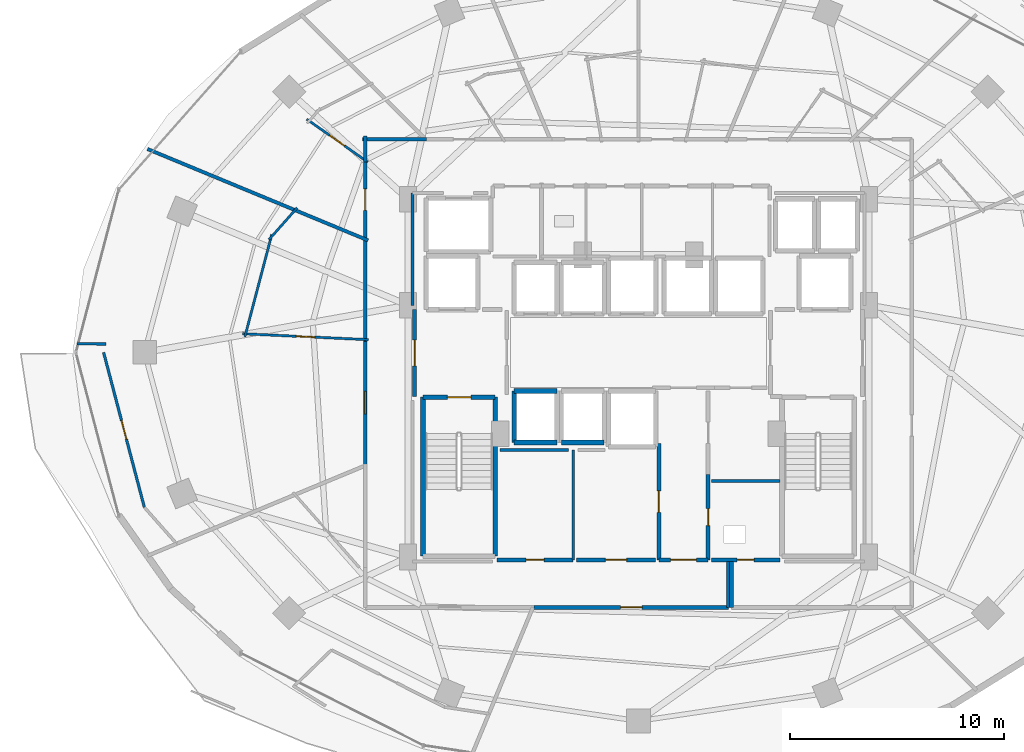
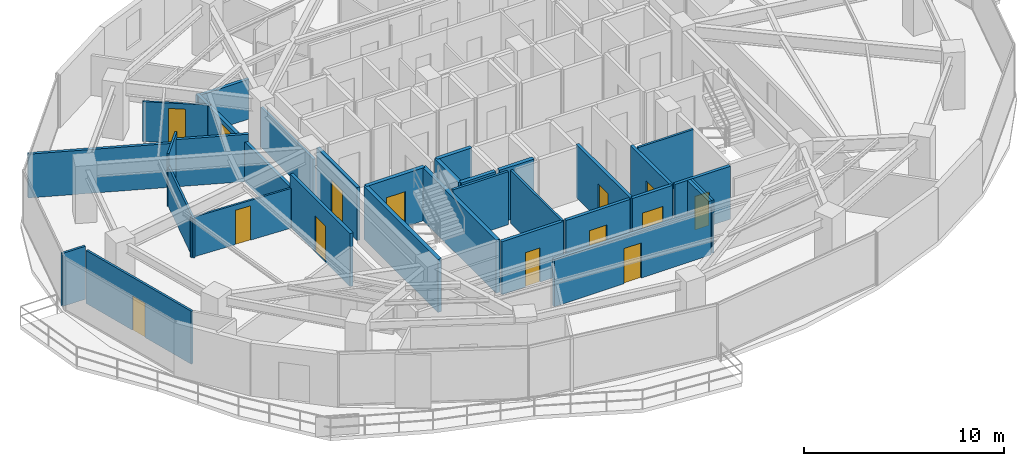
# One storey, part 24 of 31: 34 walls, 14 doors, 14 openings.
"""IFC4 building model written with IfcOpenShell, lengths in metres."""

from ifc_helpers import new_model, si_unit, direction, frame, frame_2d, origin, place, context, subcontext, project, spatial, rectangle, extrude, material, layer, layer_set, type_object, element, fill, save


model = new_model("IFC4")

# Units and contexts
model_context = context("Model", 3, precision=1e-05, world=origin(), true_north=direction((0.0, 1.0)))
body_context = subcontext(model_context, "Body", "Model", "MODEL_VIEW")
ifc_project = project(units=[si_unit("LENGTHUNIT", "METRE"), si_unit("AREAUNIT", "SQUARE_METRE"), si_unit("VOLUMEUNIT", "CUBIC_METRE"), si_unit("PLANEANGLEUNIT", "RADIAN"), si_unit("MASSUNIT", "GRAM", prefix="KILO")], contexts=[model_context])

# Site, building, storey
site_placement = place(None, origin())
site = spatial("IfcSite", under=ifc_project, at=site_placement, CompositionType="ELEMENT")
building_placement = place(site_placement, origin())
building = spatial("IfcBuilding", under=site, at=building_placement, Name="Vorneva Point Tower", CompositionType="ELEMENT")
storey_placement = place(building_placement, frame((0.0, 0.0, 103.300048828125)))
storey = spatial("IfcBuildingStorey", under=building, at=storey_placement, Name="L27", CompositionType="ELEMENT", Elevation=103.300048828125)

# Wall, opening, door
ifc_material_1 = material(Name="Fire-rated acoustic gypsum stud partition", Category="gypsum")
ifc_layer_1 = layer(ifc_material_1, 0.110107421875)
ifc_layer_set_1 = layer_set([ifc_layer_1], Name="Fire-rated acoustic gypsum stud partition")
wall_type_1 = type_object("IfcWallType", Name="WL-PART-110", PredefinedType="PARTITIONING", material=ifc_layer_set_1)
wall_1_placement = place(storey_placement, frame((25.364501953125, 34.880615234375, 0.0), z_axis=(0.0, 0.0, 1.0), x_axis=(-0.81809360258, 0.575085087111, 0.0)))
wall_1 = element("IfcWall", 1, at=wall_1_placement, inside=storey, type_object=wall_type_1, Name="L27 Interior Partition 076", PredefinedType="PARTITIONING", context=body_context, shape_type="SweptSolid", body=[
    extrude(rectangle(XDim=3.481201171875, YDim=0.110107421875, at=frame_2d((1.74072265625, 0.0))), origin(), (0.0, 0.0, 1.0), 2.431884765625),
])
opening_1_placement = place(wall_1_placement, frame((1.315673828125, 0.0, 0.0)))
opening_1 = element("IfcOpeningElement", 2, at=opening_1_placement, cuts=wall_1, Name="Opening ID-02", PredefinedType="OPENING", context=body_context, shape_type="SweptSolid", body=[
    extrude(rectangle(XDim=0.85009765625, YDim=2.10009765625, at=frame_2d((0.425048828125, 1.050048828125))), frame((0.0, 0.06982421875, 0.0), z_axis=(0.0, -1.0, 0.0), x_axis=(1.0, 0.0, 0.0)), (0.0, 0.0, 1.0), 0.139892578125),
])
ifc_material_2 = material(Name="Engineered oak fire-rated door leaf", Category="wood")
door_type_1 = type_object("IfcDoorType", Name="DR-BATH-850", OperationType="NOTDEFINED", PredefinedType="DOOR", material=ifc_material_2)
door_1_placement = place(opening_1_placement, origin())
door_1 = element("IfcDoor", 3, at=door_1_placement, inside=storey, type_object=door_type_1, Name="L27 Door Deluxe Guest Room L27-06 / En-Suite Bathroom L27-06", OperationType="SINGLE_SWING_RIGHT", OverallHeight=2.10009765625, OverallWidth=0.85009765625, PredefinedType="DOOR", context=body_context, shape_type="SweptSolid", body=[
    extrude(rectangle(XDim=0.85009765625, YDim=2.10009765625, at=frame_2d((0.425048828125, 1.050048828125))), frame((0.0, 0.02490234375, 0.0), z_axis=(0.0, -1.0, 0.0), x_axis=(1.0, 0.0, 0.0)), (0.0, 0.0, 1.0), 0.050048828125),
])
fill(opening_1, door_1)

wall_2_placement = place(storey_placement, frame((25.389892578125, 26.594482421875, 0.0), z_axis=(0.0, 0.0, 1.0), x_axis=(-0.998884920498, 0.047211392719, 0.0)))
wall_2 = element("IfcWall", 4, at=wall_2_placement, inside=storey, type_object=wall_type_1, Name="L27 Interior Partition 079", PredefinedType="PARTITIONING", context=body_context, shape_type="SweptSolid", body=[
    extrude(rectangle(XDim=5.869384765625, YDim=0.110107421875, at=frame_2d((2.9345703125, 0.0))), origin(), (0.0, 0.0, 1.0), 2.431884765625),
])
opening_2_placement = place(wall_2_placement, frame((2.509521484375, 0.0, 0.0)))
opening_2 = element("IfcOpeningElement", 5, at=opening_2_placement, cuts=wall_2, Name="Opening ID-02", PredefinedType="OPENING", context=body_context, shape_type="SweptSolid", body=[
    extrude(rectangle(XDim=0.85009765625, YDim=2.10009765625, at=frame_2d((0.425048828125, 1.050048828125))), frame((0.0, 0.06982421875, 0.0), z_axis=(0.0, -1.0, 0.0), x_axis=(1.0, 0.0, 0.0)), (0.0, 0.0, 1.0), 0.139892578125),
])
door_2_placement = place(opening_2_placement, origin())
door_2 = element("IfcDoor", 6, at=door_2_placement, inside=storey, type_object=door_type_1, Name="L27 Door Executive Suite L27-07 / En-Suite Bathroom L27-07", OperationType="SINGLE_SWING_LEFT", OverallHeight=2.10009765625, OverallWidth=0.85009765625, PredefinedType="DOOR", context=body_context, shape_type="SweptSolid", body=[
    extrude(rectangle(XDim=0.85009765625, YDim=2.10009765625, at=frame_2d((0.425048828125, 1.050048828125))), frame((0.0, 0.02490234375, 0.0), z_axis=(0.0, -1.0, 0.0), x_axis=(1.0, 0.0, 0.0)), (0.0, 0.0, 1.0), 0.050048828125),
])
fill(opening_2, door_2)

# Walls
wall_3_placement = place(storey_placement, frame((19.63134765625, 26.7294921875, 0.0), z_axis=(0.0, 0.0, 1.0), x_axis=(0.254541956306, 0.967061731473, 0.0)))
element("IfcWall", 7, at=wall_3_placement, inside=storey, type_object=wall_type_1, Name="L27 Interior Partition 080", PredefinedType="PARTITIONING", context=body_context, shape_type="SweptSolid", body=[
    extrude(rectangle(XDim=4.939453125, YDim=0.110107421875, at=frame_2d((2.4697265625, 0.0))), origin(), (0.0, 0.0, 1.0), 2.431884765625),
])
wall_4_placement = place(storey_placement, frame((20.76025390625, 31.26611328125, 0.0), z_axis=(0.0, 0.0, 1.0), x_axis=(0.662047420969, 0.749461948593, 0.0)))
element("IfcWall", 8, at=wall_4_placement, inside=storey, type_object=wall_type_1, Name="L27 Interior Partition 081", PredefinedType="PARTITIONING", context=body_context, shape_type="SweptSolid", body=[
    extrude(rectangle(XDim=1.9716796875, YDim=0.110107421875, at=frame_2d((0.98583984375, 0.0))), origin(), (0.0, 0.0, 1.0), 3.239990234375),
])
ifc_layer_2 = layer(ifc_material_1, 0.125)
ifc_layer_set_2 = layer_set([ifc_layer_2], Name="Fire-rated acoustic gypsum stud partition")
wall_type_2 = type_object("IfcWallType", Name="WL-PART-125", PredefinedType="PARTITIONING", material=ifc_layer_set_2)
wall_5_placement = place(storey_placement, frame((44.60009765625, 20.0, 0.0), z_axis=(0.0, 0.0, 1.0), x_axis=(-1.0, 0.0, 0.0)))
element("IfcWall", 9, at=wall_5_placement, inside=storey, type_object=wall_type_2, Name="L27 Interior Partition 015", PredefinedType="PARTITIONING", context=body_context, shape_type="SweptSolid", body=[
    extrude(rectangle(XDim=3.2001953125, YDim=0.125, at=frame_2d((1.60009765625, 0.0))), origin(), (0.0, 0.0, 1.0), 3.239990234375),
])
wall_6_placement = place(storey_placement, frame((34.949951171875, 16.320068359375, 0.0), z_axis=(0.0, 0.0, 1.0), x_axis=(0.0, 1.0, 0.0)))
element("IfcWall", 10, at=wall_6_placement, inside=storey, type_object=wall_type_2, Name="L27 Interior Partition 025", PredefinedType="PARTITIONING", context=body_context, shape_type="SweptSolid", body=[
    extrude(rectangle(XDim=5.1298828125, YDim=0.125, at=frame_2d((2.56494140625, 0.0))), origin(), (0.0, 0.0, 1.0), 3.239990234375),
])
wall_7_placement = place(storey_placement, frame((11.804931640625, 26.412109375, 0.0), z_axis=(0.0, 0.0, 1.0), x_axis=(0.999862201843, -0.01660052187, 0.0)))
element("IfcWall", 11, at=wall_7_placement, inside=storey, type_object=wall_type_2, Name="L27 Interior Partition 082", PredefinedType="PARTITIONING", context=body_context, shape_type="SweptSolid", body=[
    extrude(rectangle(XDim=1.33837890625, YDim=0.125, at=frame_2d((0.669189453125, 0.0))), origin(), (0.0, 0.0, 1.0), 3.239990234375),
])

# Wall, opening, door
wall_8_placement = place(storey_placement, frame((13.0400390625, 26.0, 0.0), z_axis=(0.0, 0.0, 1.0), x_axis=(0.254345287821, -0.967113475536, 0.0)))
wall_8 = element("IfcWall", 12, at=wall_8_placement, inside=storey, type_object=wall_type_2, Name="L27 Interior Partition 083", PredefinedType="PARTITIONING", context=body_context, shape_type="SweptSolid", body=[
    extrude(rectangle(XDim=7.4697265625, YDim=0.125, at=frame_2d((3.73486328125, 0.0))), origin(), (0.0, 0.0, 1.0), 3.239990234375),
])
opening_3_placement = place(wall_8_placement, frame((3.284912109375, 0.0, 0.0)))
opening_3 = element("IfcOpeningElement", 13, at=opening_3_placement, cuts=wall_8, Name="Opening ID-01", PredefinedType="OPENING", context=body_context, shape_type="SweptSolid", body=[
    extrude(rectangle(XDim=0.89990234375, YDim=2.10009765625, at=frame_2d((0.449951171875, 1.050048828125))), frame((0.0, 0.077392578125, 0.0), z_axis=(0.0, -1.0, 0.0), x_axis=(1.0, 0.0, 0.0)), (0.0, 0.0, 1.0), 0.15478515625),
])
door_type_2 = type_object("IfcDoorType", Name="DR-ROOM-900", OperationType="NOTDEFINED", PredefinedType="DOOR", material=ifc_material_2)
door_3_placement = place(opening_3_placement, origin())
door_3 = element("IfcDoor", 14, at=door_3_placement, inside=storey, type_object=door_type_2, Name="L27 Door Executive Suite L27-07 / Suite Sitting Study L27-07", OperationType="SINGLE_SWING_RIGHT", OverallHeight=2.10009765625, OverallWidth=0.89990234375, PredefinedType="DOOR", context=body_context, shape_type="SweptSolid", body=[
    extrude(rectangle(XDim=0.89990234375, YDim=2.10009765625, at=frame_2d((0.449951171875, 1.050048828125))), frame((0.0, 0.02490234375, 0.0), z_axis=(0.0, -1.0, 0.0), x_axis=(1.0, 0.0, 0.0)), (0.0, 0.0, 1.0), 0.050048828125),
])
fill(opening_3, door_3)

# Walls
ifc_layer_3 = layer(ifc_material_1, 0.139892578125)
ifc_layer_set_3 = layer_set([ifc_layer_3], Name="Fire-rated acoustic gypsum stud partition")
wall_type_3 = type_object("IfcWallType", Name="WL-PART-140", PredefinedType="PARTITIONING", material=ifc_layer_set_3)
wall_9_placement = place(storey_placement, frame((34.72998046875, 21.449951171875, 0.0), z_axis=(0.0, 0.0, 1.0), x_axis=(-1.0, 0.0, 0.0)))
element("IfcWall", 15, at=wall_9_placement, inside=storey, type_object=wall_type_3, Name="L27 Interior Closure Partition 102", PredefinedType="PARTITIONING", context=body_context, shape_type="SweptSolid", body=[
    extrude(rectangle(XDim=3.199951171875, YDim=0.139892578125, at=frame_2d((1.60009765625, 0.0))), origin(), (0.0, 0.0, 1.0), 3.239990234375),
])
wall_10_placement = place(storey_placement, frame((27.449951171875, 28.196044921875, 0.0), z_axis=(0.0, 0.0, 1.0), x_axis=(0.0, 1.0, 0.0)))
element("IfcWall", 16, at=wall_10_placement, inside=storey, type_object=wall_type_3, Name="L27 Interior Closure Partition 110", PredefinedType="PARTITIONING", context=body_context, shape_type="SweptSolid", body=[
    extrude(rectangle(XDim=5.25390625, YDim=0.139892578125, at=frame_2d((2.626953125, 0.0))), origin(), (0.0, 0.0, 1.0), 2.431884765625),
])
ifc_layer_4 = layer(ifc_material_1, 0.159912109375)
ifc_layer_set_4 = layer_set([ifc_layer_4], Name="Fire-rated acoustic gypsum stud partition")
wall_type_4 = type_object("IfcWallType", Name="WL-PART-160", PredefinedType="PARTITIONING", material=ifc_layer_set_4)
wall_11_placement = place(storey_placement, frame((15.089111328125, 35.489990234375, 0.0), z_axis=(0.0, 0.0, 1.0), x_axis=(0.923888472039, -0.382661849723, 0.0)))
element("IfcWall", 17, at=wall_11_placement, inside=storey, type_object=wall_type_4, Name="L27 Interior Partition 077", PredefinedType="PARTITIONING", context=body_context, shape_type="SweptSolid", body=[
    extrude(rectangle(XDim=7.510498046875, YDim=0.159912109375, at=frame_2d((3.75537109375, 0.0))), origin(), (0.0, 0.0, 1.0), 2.677001953125),
])
wall_12_placement = place(storey_placement, frame((21.898681640625, 32.66943359375, 0.0), z_axis=(0.0, 0.0, 1.0), x_axis=(0.923843852071, -0.382769561211, 0.0)))
element("IfcWall", 18, at=wall_12_placement, inside=storey, type_object=wall_type_4, Name="L27 Interior Partition 078", PredefinedType="PARTITIONING", context=body_context, shape_type="SweptSolid", body=[
    extrude(rectangle(XDim=3.767578125, YDim=0.159912109375, at=frame_2d((1.8837890625, 0.0))), origin(), (0.0, 0.0, 1.0), 2.885986328125),
])

# Wall, opening, door
ifc_material_3 = material(Name="Autoclaved aerated concrete blockwork", Category="masonry")
ifc_layer_5 = layer(ifc_material_3, 0.179931640625)
ifc_layer_set_5 = layer_set([ifc_layer_5], Name="Autoclaved aerated concrete blockwork")
wall_type_5 = type_object("IfcWallType", Name="WL-PART-180", PredefinedType="PARTITIONING", material=ifc_layer_set_5)
wall_13_placement = place(storey_placement, frame((27.550048828125, 28.0, 0.0), z_axis=(0.0, 0.0, 1.0), x_axis=(0.0, -1.0, 0.0)))
wall_13 = element("IfcWall", 19, at=wall_13_placement, inside=storey, type_object=wall_type_5, Name="L27 Interior Partition 002", PredefinedType="PARTITIONING", context=body_context, shape_type="SweptSolid", body=[
    extrude(rectangle(XDim=4.050048828125, YDim=0.179931640625, at=frame_2d((2.02490234375, 0.0))), origin(), (0.0, 0.0, 1.0), 3.239990234375),
])
opening_4_placement = place(wall_13_placement, frame((1.425048828125, 0.0, 0.0)))
opening_4 = element("IfcOpeningElement", 20, at=opening_4_placement, cuts=wall_13, Name="Opening FD-02", PredefinedType="OPENING", context=body_context, shape_type="SweptSolid", body=[
    extrude(rectangle(XDim=1.199951171875, YDim=2.14990234375, at=frame_2d((0.60009765625, 1.074951171875))), frame((0.0, 0.10498046875, 0.0), z_axis=(0.0, -1.0, 0.0), x_axis=(1.0, 0.0, 0.0)), (0.0, 0.0, 1.0), 0.209716796875),
])
ifc_material_4 = material(Name="Fire-rated powder-coated steel", Category="steel")
door_type_3 = type_object("IfcDoorType", Name="DR-FFL-1200", OperationType="NOTDEFINED", PredefinedType="DOOR", material=ifc_material_4)
door_4_placement = place(opening_4_placement, origin())
door_4 = element("IfcDoor", 21, at=door_4_placement, inside=storey, type_object=door_type_3, Name="L27 Door West Firefighting Lobby / L27 Circulation Corridor", OperationType="SINGLE_SWING_RIGHT", OverallHeight=2.14990234375, OverallWidth=1.199951171875, PredefinedType="DOOR", context=body_context, shape_type="SweptSolid", body=[
    extrude(rectangle(XDim=1.199951171875, YDim=2.14990234375, at=frame_2d((0.60009765625, 1.074951171875))), frame((0.0, 0.02490234375, 0.0), z_axis=(0.0, -1.0, 0.0), x_axis=(1.0, 0.0, 0.0)), (0.0, 0.0, 1.0), 0.050048828125),
])
fill(opening_4, door_4)

wall_14_placement = place(storey_placement, frame((41.25, 16.320068359375, 0.0), z_axis=(0.0, 0.0, 1.0), x_axis=(0.0, 1.0, 0.0)))
wall_14 = element("IfcWall", 22, at=wall_14_placement, inside=storey, type_object=wall_type_5, Name="L27 Interior Partition 011", PredefinedType="PARTITIONING", context=body_context, shape_type="SweptSolid", body=[
    extrude(rectangle(XDim=3.98486328125, YDim=0.179931640625, at=frame_2d((1.992431640625, 0.0))), origin(), (0.0, 0.0, 1.0), 3.239990234375),
])
opening_5_placement = place(wall_14_placement, frame((1.592529296875, 0.0, 0.0)))
opening_5 = element("IfcOpeningElement", 23, at=opening_5_placement, cuts=wall_14, Name="Opening RD-01", PredefinedType="OPENING", context=body_context, shape_type="SweptSolid", body=[
    extrude(rectangle(XDim=0.800048828125, YDim=2.050048828125, at=frame_2d((0.39990234375, 1.02490234375))), frame((0.0, 0.10498046875, 0.0), z_axis=(0.0, -1.0, 0.0), x_axis=(1.0, 0.0, 0.0)), (0.0, 0.0, 1.0), 0.209716796875),
])
door_type_4 = type_object("IfcDoorType", Name="DR-RSR-800", OperationType="SINGLE_SWING_LEFT", PredefinedType="DOOR", material=ifc_material_4)
door_5_placement = place(opening_5_placement, origin())
door_5 = element("IfcDoor", 24, at=door_5_placement, inside=storey, type_object=door_type_4, Name="L27 Door Core Service Lobby / Electrical Riser", OperationType="SINGLE_SWING_LEFT", OverallHeight=2.050048828125, OverallWidth=0.800048828125, PredefinedType="DOOR", context=body_context, shape_type="SweptSolid", body=[
    extrude(rectangle(XDim=0.800048828125, YDim=2.050048828125, at=frame_2d((0.39990234375, 1.02490234375))), frame((0.0, 0.02490234375, 0.0), z_axis=(0.0, -1.0, 0.0), x_axis=(1.0, 0.0, 0.0)), (0.0, 0.0, 1.0), 0.050048828125),
])
fill(opening_5, door_5)

wall_15_placement = place(storey_placement, frame((38.949951171875, 21.7548828125, 0.0), z_axis=(0.0, 0.0, 1.0), x_axis=(0.0, -1.0, 0.0)))
wall_15 = element("IfcWall", 25, at=wall_15_placement, inside=storey, type_object=wall_type_5, Name="L27 Interior Partition 013", PredefinedType="PARTITIONING", context=body_context, shape_type="SweptSolid", body=[
    extrude(rectangle(XDim=5.434814453125, YDim=0.179931640625, at=frame_2d((2.71728515625, 0.0))), origin(), (0.0, 0.0, 1.0), 3.239990234375),
])
opening_6_placement = place(wall_15_placement, frame((2.217529296875, 0.0, 0.0)))
opening_6 = element("IfcOpeningElement", 26, at=opening_6_placement, cuts=wall_15, Name="Opening UD-01", PredefinedType="OPENING", context=body_context, shape_type="SweptSolid", body=[
    extrude(rectangle(XDim=1.0, YDim=2.14990234375, at=frame_2d((0.5, 1.074951171875))), frame((0.0, 0.10498046875, 0.0), z_axis=(0.0, -1.0, 0.0), x_axis=(1.0, 0.0, 0.0)), (0.0, 0.0, 1.0), 0.209716796875),
])
door_type_5 = type_object("IfcDoorType", Name="DR-UNIT-1000", OperationType="NOTDEFINED", PredefinedType="DOOR", material=ifc_material_2)
door_6_placement = place(opening_6_placement, origin())
door_6 = element("IfcDoor", 27, at=door_6_placement, inside=storey, type_object=door_type_5, Name="L27 Door Core Service Lobby / Staff Service Pantry", OperationType="SINGLE_SWING_LEFT", OverallHeight=2.14990234375, OverallWidth=1.0, PredefinedType="DOOR", context=body_context, shape_type="SweptSolid", body=[
    extrude(rectangle(XDim=1.0, YDim=2.14990234375, at=frame_2d((0.5, 1.074951171875))), frame((0.0, 0.02490234375, 0.0), z_axis=(0.0, -1.0, 0.0), x_axis=(1.0, 0.0, 0.0)), (0.0, 0.0, 1.0), 0.050048828125),
])
fill(opening_6, door_6)

wall_16_placement = place(storey_placement, frame((38.949951171875, 16.320068359375, 0.0), z_axis=(0.0, 0.0, 1.0), x_axis=(1.0, 0.0, 0.0)))
wall_16 = element("IfcWall", 28, at=wall_16_placement, inside=storey, type_object=wall_type_5, Name="L27 Interior Partition 014", PredefinedType="PARTITIONING", context=body_context, shape_type="SweptSolid", body=[
    extrude(rectangle(XDim=2.300048828125, YDim=0.179931640625, at=frame_2d((1.14990234375, 0.0))), origin(), (0.0, 0.0, 1.0), 3.239990234375),
])
opening_7_placement = place(wall_16_placement, frame((0.550048828125, 0.0, 0.0)))
opening_7 = element("IfcOpeningElement", 29, at=opening_7_placement, cuts=wall_16, Name="Opening FD-02", PredefinedType="OPENING", context=body_context, shape_type="SweptSolid", body=[
    extrude(rectangle(XDim=1.199951171875, YDim=2.14990234375, at=frame_2d((0.60009765625, 1.074951171875))), frame((0.0, 0.10498046875, 0.0), z_axis=(0.0, -1.0, 0.0), x_axis=(1.0, 0.0, 0.0)), (0.0, 0.0, 1.0), 0.209716796875),
])
door_7_placement = place(opening_7_placement, origin())
door_7 = element("IfcDoor", 30, at=door_7_placement, inside=storey, type_object=door_type_3, Name="L27 Door Core Service Lobby / L27 Circulation Corridor", OperationType="SINGLE_SWING_RIGHT", OverallHeight=2.14990234375, OverallWidth=1.199951171875, PredefinedType="DOOR", context=body_context, shape_type="SweptSolid", body=[
    extrude(rectangle(XDim=1.199951171875, YDim=2.14990234375, at=frame_2d((0.60009765625, 1.074951171875))), frame((0.0, 0.02490234375, 0.0), z_axis=(0.0, -1.0, 0.0), x_axis=(1.0, 0.0, 0.0)), (0.0, 0.0, 1.0), 0.050048828125),
])
fill(opening_7, door_7)

wall_17_placement = place(storey_placement, frame((41.39990234375, 16.320068359375, 0.0), z_axis=(0.0, 0.0, 1.0), x_axis=(1.0, 0.0, 0.0)))
wall_17 = element("IfcWall", 31, at=wall_17_placement, inside=storey, type_object=wall_type_5, Name="L27 Interior Partition 016", PredefinedType="PARTITIONING", context=body_context, shape_type="SweptSolid", body=[
    extrude(rectangle(XDim=3.2001953125, YDim=0.179931640625, at=frame_2d((1.60009765625, 0.0))), origin(), (0.0, 0.0, 1.0), 3.239990234375),
])
opening_8_placement = place(wall_17_placement, frame((1.199951171875, 0.0, 0.0)))
opening_8 = element("IfcOpeningElement", 32, at=opening_8_placement, cuts=wall_17, Name="Opening RD-01", PredefinedType="OPENING", context=body_context, shape_type="SweptSolid", body=[
    extrude(rectangle(XDim=0.800048828125, YDim=2.050048828125, at=frame_2d((0.39990234375, 1.02490234375))), frame((0.0, 0.10498046875, 0.0), z_axis=(0.0, -1.0, 0.0), x_axis=(1.0, 0.0, 0.0)), (0.0, 0.0, 1.0), 0.209716796875),
])
door_8_placement = place(opening_8_placement, origin())
door_8 = element("IfcDoor", 33, at=door_8_placement, inside=storey, type_object=door_type_4, Name="L27 Door Electrical Riser / L27 Circulation Corridor", OperationType="SINGLE_SWING_LEFT", OverallHeight=2.050048828125, OverallWidth=0.800048828125, PredefinedType="DOOR", context=body_context, shape_type="SweptSolid", body=[
    extrude(rectangle(XDim=0.800048828125, YDim=2.050048828125, at=frame_2d((0.39990234375, 1.02490234375))), frame((0.0, 0.02490234375, 0.0), z_axis=(0.0, -1.0, 0.0), x_axis=(1.0, 0.0, 0.0)), (0.0, 0.0, 1.0), 0.050048828125),
])
fill(opening_8, door_8)

wall_18_placement = place(storey_placement, frame((31.39990234375, 16.320068359375, 0.0), z_axis=(0.0, 0.0, 1.0), x_axis=(1.0, 0.0, 0.0)))
wall_18 = element("IfcWall", 34, at=wall_18_placement, inside=storey, type_object=wall_type_5, Name="L27 Interior Partition 026", PredefinedType="PARTITIONING", context=body_context, shape_type="SweptSolid", body=[
    extrude(rectangle(XDim=3.550048828125, YDim=0.179931640625, at=frame_2d((1.77490234375, 0.0))), origin(), (0.0, 0.0, 1.0), 3.239990234375),
])
opening_9_placement = place(wall_18_placement, frame((1.35009765625, 0.0, 0.0)))
opening_9 = element("IfcOpeningElement", 35, at=opening_9_placement, cuts=wall_18, Name="Opening ID-02", PredefinedType="OPENING", context=body_context, shape_type="SweptSolid", body=[
    extrude(rectangle(XDim=0.85009765625, YDim=2.10009765625, at=frame_2d((0.425048828125, 1.050048828125))), frame((0.0, 0.10498046875, 0.0), z_axis=(0.0, -1.0, 0.0), x_axis=(1.0, 0.0, 0.0)), (0.0, 0.0, 1.0), 0.209716796875),
])
door_9_placement = place(opening_9_placement, origin())
door_9 = element("IfcDoor", 36, at=door_9_placement, inside=storey, type_object=door_type_1, Name="L27 Door Housekeeping Room / L27 Circulation Corridor", OperationType="SINGLE_SWING_RIGHT", OverallHeight=2.10009765625, OverallWidth=0.85009765625, PredefinedType="DOOR", context=body_context, shape_type="SweptSolid", body=[
    extrude(rectangle(XDim=0.85009765625, YDim=2.10009765625, at=frame_2d((0.425048828125, 1.050048828125))), frame((0.0, 0.02490234375, 0.0), z_axis=(0.0, -1.0, 0.0), x_axis=(1.0, 0.0, 0.0)), (0.0, 0.0, 1.0), 0.050048828125),
])
fill(opening_9, door_9)

wall_19_placement = place(storey_placement, frame((35.10009765625, 16.320068359375, 0.0), z_axis=(0.0, 0.0, 1.0), x_axis=(1.0, 0.0, 0.0)))
wall_19 = element("IfcWall", 37, at=wall_19_placement, inside=storey, type_object=wall_type_5, Name="L27 Interior Partition 027", PredefinedType="PARTITIONING", context=body_context, shape_type="SweptSolid", body=[
    extrude(rectangle(XDim=3.699951171875, YDim=0.179931640625, at=frame_2d((1.85009765625, 0.0))), origin(), (0.0, 0.0, 1.0), 3.239990234375),
])
opening_10_placement = place(wall_19_placement, frame((1.35009765625, 0.0, 0.0)))
opening_10 = element("IfcOpeningElement", 38, at=opening_10_placement, cuts=wall_19, Name="Opening UD-01", PredefinedType="OPENING", context=body_context, shape_type="SweptSolid", body=[
    extrude(rectangle(XDim=1.0, YDim=2.14990234375, at=frame_2d((0.5, 1.074951171875))), frame((0.0, 0.10498046875, 0.0), z_axis=(0.0, -1.0, 0.0), x_axis=(1.0, 0.0, 0.0)), (0.0, 0.0, 1.0), 0.209716796875),
])
door_10_placement = place(opening_10_placement, origin())
door_10 = element("IfcDoor", 39, at=door_10_placement, inside=storey, type_object=door_type_5, Name="L27 Door Staff Service Pantry / L27 Circulation Corridor", OperationType="SINGLE_SWING_LEFT", OverallHeight=2.14990234375, OverallWidth=1.0, PredefinedType="DOOR", context=body_context, shape_type="SweptSolid", body=[
    extrude(rectangle(XDim=1.0, YDim=2.14990234375, at=frame_2d((0.5, 1.074951171875))), frame((0.0, 0.02490234375, 0.0), z_axis=(0.0, -1.0, 0.0), x_axis=(1.0, 0.0, 0.0)), (0.0, 0.0, 1.0), 0.050048828125),
])
fill(opening_10, door_10)

wall_20_placement = place(storey_placement, frame((25.25, 35.033935546875, 0.0), z_axis=(0.0, 0.0, 1.0), x_axis=(0.0, -1.0, 0.0)))
wall_20 = element("IfcWall", 40, at=wall_20_placement, inside=storey, type_object=wall_type_5, Name="L27 Interior Partition 039", PredefinedType="PARTITIONING", context=body_context, shape_type="SweptSolid", body=[
    extrude(rectangle(XDim=3.81298828125, YDim=0.179931640625, at=frame_2d((1.906494140625, 0.0))), origin(), (0.0, 0.0, 1.0), 2.431884765625),
])
opening_11_placement = place(wall_20_placement, frame((1.406494140625, 0.0, 0.0)))
opening_11 = element("IfcOpeningElement", 41, at=opening_11_placement, cuts=wall_20, Name="Opening UD-01", PredefinedType="OPENING", context=body_context, shape_type="SweptSolid", body=[
    extrude(rectangle(XDim=1.0, YDim=2.14990234375, at=frame_2d((0.5, 1.074951171875))), frame((0.0, 0.10498046875, 0.0), z_axis=(0.0, -1.0, 0.0), x_axis=(1.0, 0.0, 0.0)), (0.0, 0.0, 1.0), 0.209716796875),
])
door_11_placement = place(opening_11_placement, origin())
door_11 = element("IfcDoor", 42, at=door_11_placement, inside=storey, type_object=door_type_5, Name="L27 Door L27 Circulation Corridor / Deluxe Guest Room L27-06", OperationType="SINGLE_SWING_LEFT", OverallHeight=2.14990234375, OverallWidth=1.0, PredefinedType="DOOR", context=body_context, shape_type="SweptSolid", body=[
    extrude(rectangle(XDim=1.0, YDim=2.14990234375, at=frame_2d((0.5, 1.074951171875))), frame((0.0, 0.02490234375, 0.0), z_axis=(0.0, -1.0, 0.0), x_axis=(1.0, 0.0, 0.0)), (0.0, 0.0, 1.0), 0.050048828125),
])
fill(opening_11, door_11)

# Walls
wall_21_placement = place(storey_placement, frame((28.10498046875, 35.949951171875, 0.0), z_axis=(0.0, 0.0, 1.0), x_axis=(-1.0, 0.0, 0.0)))
element("IfcWall", 43, at=wall_21_placement, inside=storey, type_object=wall_type_5, Name="L27 Interior Partition 040", PredefinedType="PARTITIONING", context=body_context, shape_type="SweptSolid", body=[
    extrude(rectangle(XDim=2.994873046875, YDim=0.179931640625, at=frame_2d((1.49755859375, 0.0))), origin(), (0.0, 0.0, 1.0), 2.431884765625),
])
wall_22_placement = place(storey_placement, frame((25.25, 36.090087890625, 0.0), z_axis=(0.0, 0.0, 1.0), x_axis=(0.0, -1.0, 0.0)))
element("IfcWall", 44, at=wall_22_placement, inside=storey, type_object=wall_type_5, Name="L27 Interior Partition 041", PredefinedType="PARTITIONING", context=body_context, shape_type="SweptSolid", body=[
    extrude(rectangle(XDim=1.196044921875, YDim=0.179931640625, at=frame_2d((0.59814453125, 0.0))), origin(), (0.0, 0.0, 1.0), 2.431884765625),
])

# Wall, opening, door
wall_23_placement = place(storey_placement, frame((25.25, 26.660888671875, 0.0), z_axis=(0.0, 0.0, 1.0), x_axis=(0.0, -1.0, 0.0)))
wall_23 = element("IfcWall", 45, at=wall_23_placement, inside=storey, type_object=wall_type_5, Name="L27 Interior Partition 042", PredefinedType="PARTITIONING", context=body_context, shape_type="SweptSolid", body=[
    extrude(rectangle(XDim=6.0068359375, YDim=0.179931640625, at=frame_2d((3.00341796875, 0.0))), origin(), (0.0, 0.0, 1.0), 3.239990234375),
])
opening_12_placement = place(wall_23_placement, frame((2.478515625, 0.0, 0.0)))
opening_12 = element("IfcOpeningElement", 46, at=opening_12_placement, cuts=wall_23, Name="Opening UD-02", PredefinedType="OPENING", context=body_context, shape_type="SweptSolid", body=[
    extrude(rectangle(XDim=1.050048828125, YDim=2.199951171875, at=frame_2d((0.52490234375, 1.10009765625))), frame((0.0, 0.10498046875, 0.0), z_axis=(0.0, -1.0, 0.0), x_axis=(1.0, 0.0, 0.0)), (0.0, 0.0, 1.0), 0.209716796875),
])
door_type_6 = type_object("IfcDoorType", Name="DR-SUITE-1050", OperationType="NOTDEFINED", PredefinedType="DOOR", material=ifc_material_2)
door_12_placement = place(opening_12_placement, origin())
door_12 = element("IfcDoor", 47, at=door_12_placement, inside=storey, type_object=door_type_6, Name="L27 Door L27 Circulation Corridor / Executive Suite L27-07", OperationType="SINGLE_SWING_RIGHT", OverallHeight=2.199951171875, OverallWidth=1.050048828125, PredefinedType="DOOR", context=body_context, shape_type="SweptSolid", body=[
    extrude(rectangle(XDim=1.050048828125, YDim=2.199951171875, at=frame_2d((0.52490234375, 1.10009765625))), frame((0.0, 0.02490234375, 0.0), z_axis=(0.0, -1.0, 0.0), x_axis=(1.0, 0.0, 0.0)), (0.0, 0.0, 1.0), 0.050048828125),
])
fill(opening_12, door_12)

# Walls
wall_24_placement = place(storey_placement, frame((25.25, 31.361083984375, 0.0), z_axis=(0.0, 0.0, 1.0), x_axis=(0.0, -1.0, 0.0)))
element("IfcWall", 48, at=wall_24_placement, inside=storey, type_object=wall_type_5, Name="L27 Interior Partition 043", PredefinedType="PARTITIONING", context=body_context, shape_type="SweptSolid", body=[
    extrude(rectangle(XDim=4.840087890625, YDim=0.179931640625, at=frame_2d((2.419921875, 0.0))), origin(), (0.0, 0.0, 1.0), 2.431884765625),
])
wall_25_placement = place(storey_placement, frame((42.340087890625, 16.239990234375, 0.0), z_axis=(0.0, 0.0, 1.0), x_axis=(0.0, -1.0, 0.0)))
element("IfcWall", 49, at=wall_25_placement, inside=storey, type_object=wall_type_5, Name="L27 Interior Partition 047", PredefinedType="PARTITIONING", context=body_context, shape_type="SweptSolid", body=[
    extrude(rectangle(XDim=2.139892578125, YDim=0.179931640625, at=frame_2d((1.06982421875, 0.0))), origin(), (0.0, 0.0, 1.0), 3.239990234375),
])

# Wall, opening, door
wall_26_placement = place(storey_placement, frame((33.131103515625, 14.10009765625, 0.0), z_axis=(0.0, 0.0, 1.0), x_axis=(1.0, 0.0, 0.0)))
wall_26 = element("IfcWall", 50, at=wall_26_placement, inside=storey, type_object=wall_type_5, Name="L27 Interior Partition 049", PredefinedType="PARTITIONING", context=body_context, shape_type="SweptSolid", body=[
    extrude(rectangle(XDim=9.06884765625, YDim=0.179931640625, at=frame_2d((4.534423828125, 0.0))), origin(), (0.0, 0.0, 1.0), 2.885986328125),
])
opening_13_placement = place(wall_26_placement, frame((4.034423828125, 0.0, 0.0)))
opening_13 = element("IfcOpeningElement", 51, at=opening_13_placement, cuts=wall_26, Name="Opening UD-01", PredefinedType="OPENING", context=body_context, shape_type="SweptSolid", body=[
    extrude(rectangle(XDim=1.0, YDim=2.14990234375, at=frame_2d((0.5, 1.074951171875))), frame((0.0, 0.10498046875, 0.0), z_axis=(0.0, -1.0, 0.0), x_axis=(1.0, 0.0, 0.0)), (0.0, 0.0, 1.0), 0.209716796875),
])
door_13_placement = place(opening_13_placement, origin())
door_13 = element("IfcDoor", 52, at=door_13_placement, inside=storey, type_object=door_type_5, Name="L27 Door L27 Circulation Corridor / Hotel Club Lounge L27-09", OperationType="SINGLE_SWING_RIGHT", OverallHeight=2.14990234375, OverallWidth=1.0, PredefinedType="DOOR", context=body_context, shape_type="SweptSolid", body=[
    extrude(rectangle(XDim=1.0, YDim=2.14990234375, at=frame_2d((0.5, 1.074951171875))), frame((0.0, 0.02490234375, 0.0), z_axis=(0.0, -1.0, 0.0), x_axis=(1.0, 0.0, 0.0)), (0.0, 0.0, 1.0), 0.050048828125),
])
fill(opening_13, door_13)

# Wall
wall_27_placement = place(storey_placement, frame((42.199951171875, 14.10009765625, 0.0), z_axis=(0.0, 0.0, 1.0), x_axis=(0.0, 1.0, 0.0)))
element("IfcWall", 53, at=wall_27_placement, inside=storey, type_object=wall_type_5, Name="L27 Interior Partition 050", PredefinedType="PARTITIONING", context=body_context, shape_type="SweptSolid", body=[
    extrude(rectangle(XDim=2.139892578125, YDim=0.179931640625, at=frame_2d((1.06982421875, 0.0))), origin(), (0.0, 0.0, 1.0), 3.239990234375),
])

# Wall, opening, door
ifc_material_5 = material(Name="Concrete B50 (C40/50)", Category="concrete")
ifc_layer_6 = layer(ifc_material_5, 0.219970703125)
ifc_layer_set_6 = layer_set([ifc_layer_6], Name="Concrete B50 (C40/50)")
wall_type_6 = type_object("IfcWallType", Name="WL-SHFT-220", PredefinedType="SOLIDWALL", material=ifc_layer_set_6)
wall_28_placement = place(storey_placement, frame((27.93994140625, 23.909912109375, 0.0), z_axis=(0.0, 0.0, 1.0), x_axis=(1.0, 0.0, 0.0)))
wall_28 = element("IfcWall", 54, at=wall_28_placement, inside=storey, type_object=wall_type_6, Name="L27 Exit Stair ST1 Shaft Wall near", PredefinedType="SOLIDWALL", context=body_context, shape_type="SweptSolid", body=[
    extrude(rectangle(XDim=3.3701171875, YDim=0.219970703125, at=frame_2d((1.68505859375, 0.0))), origin(), (0.0, 0.0, 1.0), 3.239990234375),
])
opening_14_placement = place(wall_28_placement, frame((1.135009765625, 0.0, 0.0)))
opening_14 = element("IfcOpeningElement", 55, at=opening_14_placement, cuts=wall_28, Name="Opening FD-01", PredefinedType="OPENING", context=body_context, shape_type="SweptSolid", body=[
    extrude(rectangle(XDim=1.10009765625, YDim=2.14990234375, at=frame_2d((0.550048828125, 1.074951171875))), frame((0.0, 0.125, 0.0), z_axis=(0.0, -1.0, 0.0), x_axis=(1.0, 0.0, 0.0)), (0.0, 0.0, 1.0), 0.249755859375),
])
door_type_7 = type_object("IfcDoorType", Name="DR-STAIR-1100", OperationType="NOTDEFINED", PredefinedType="DOOR", material=ifc_material_4)
door_14_placement = place(opening_14_placement, origin())
door_14 = element("IfcDoor", 56, at=door_14_placement, inside=storey, type_object=door_type_7, Name="L27 Exit Stair ST1 Fire Door", OperationType="SINGLE_SWING_LEFT", OverallHeight=2.14990234375, OverallWidth=1.10009765625, PredefinedType="DOOR", context=body_context, shape_type="SweptSolid", body=[
    extrude(rectangle(XDim=1.10009765625, YDim=2.14990234375, at=frame_2d((0.550048828125, 1.074951171875))), frame((0.0, 0.02490234375, 0.0), z_axis=(0.0, -1.0, 0.0), x_axis=(1.0, 0.0, 0.0)), (0.0, 0.0, 1.0), 0.050048828125),
])
fill(opening_14, door_14)

# Walls
for number, where, z_axis, x_axis, name in (
    (57, (31.31005859375, 23.909912109375, 0.0), (0.0, 0.0, 1.0), (0.0, -1.0, 0.0), "L27 Exit Stair ST1 Shaft Wall right"),
    (58, (27.93994140625, 16.489990234375, 0.0), (0.0, 0.0, 1.0), (0.0, 1.0, 0.0), "L27 Exit Stair ST1 Shaft Wall left"),
):
    element("IfcWall", number, at=place(storey_placement, frame(where, z_axis=z_axis, x_axis=x_axis)), inside=storey, type_object=wall_type_6, Name=name, PredefinedType="SOLIDWALL", context=body_context, shape_type="SweptSolid", body=[
        extrude(rectangle(XDim=7.419921875, YDim=0.219970703125, at=frame_2d((3.7099609375, 0.0))), origin(), (0.0, 0.0, 1.0), 3.239990234375),
    ])
for number, where, z_axis, x_axis, name in (
    (59, (32.199951171875, 21.800048828125, 0.0), (0.0, 0.0, 1.0), (1.0, 0.0, 0.0), "L27 Lift PL4 Shaft Wall -Y"),
    (60, (34.199951171875, 24.199951171875, 0.0), (0.0, 0.0, 1.0), (-1.0, 0.0, 0.0), "L27 Lift PL4 Shaft Wall +Y"),
):
    element("IfcWall", number, at=place(storey_placement, frame(where, z_axis=z_axis, x_axis=x_axis)), inside=storey, type_object=wall_type_6, Name=name, PredefinedType="SOLIDWALL", context=body_context, shape_type="SweptSolid", body=[
        extrude(rectangle(XDim=2.0, YDim=0.219970703125, at=frame_2d((1.0, 0.0))), origin(), (0.0, 0.0, 1.0), 3.239990234375),
    ])
wall_29_placement = place(storey_placement, frame((32.199951171875, 24.199951171875, 0.0), z_axis=(0.0, 0.0, 1.0), x_axis=(0.0, -1.0, 0.0)))
element("IfcWall", 61, at=wall_29_placement, inside=storey, type_object=wall_type_6, Name="L27 Lift PL4 Shaft Wall -X", PredefinedType="SOLIDWALL", context=body_context, shape_type="SweptSolid", body=[
    extrude(rectangle(XDim=2.39990234375, YDim=0.219970703125, at=frame_2d((1.199951171875, 0.0))), origin(), (0.0, 0.0, 1.0), 3.239990234375),
])
wall_30_placement = place(storey_placement, frame((34.39990234375, 21.800048828125, 0.0), z_axis=(0.0, 0.0, 1.0), x_axis=(1.0, 0.0, 0.0)))
element("IfcWall", 62, at=wall_30_placement, inside=storey, type_object=wall_type_6, Name="L27 Lift PL5 Shaft Wall -Y", PredefinedType="SOLIDWALL", context=body_context, shape_type="SweptSolid", body=[
    extrude(rectangle(XDim=2.0, YDim=0.219970703125, at=frame_2d((1.0, 0.0))), origin(), (0.0, 0.0, 1.0), 3.239990234375),
])

save(model, "model.ifc")
